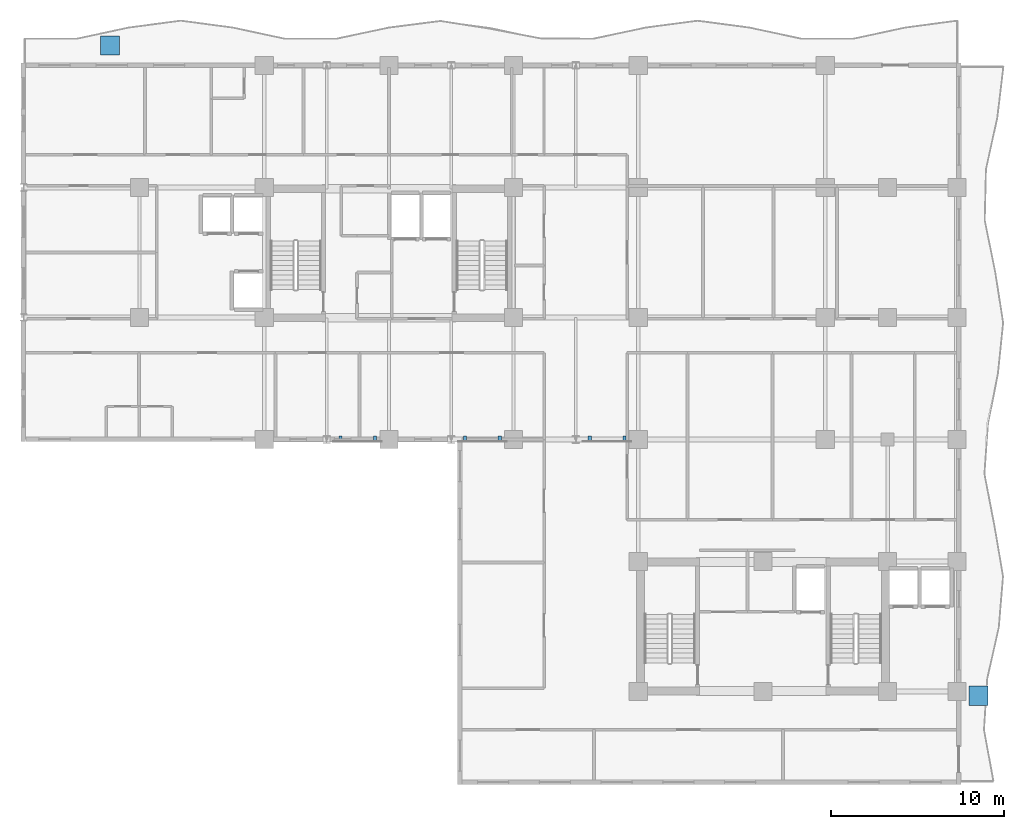
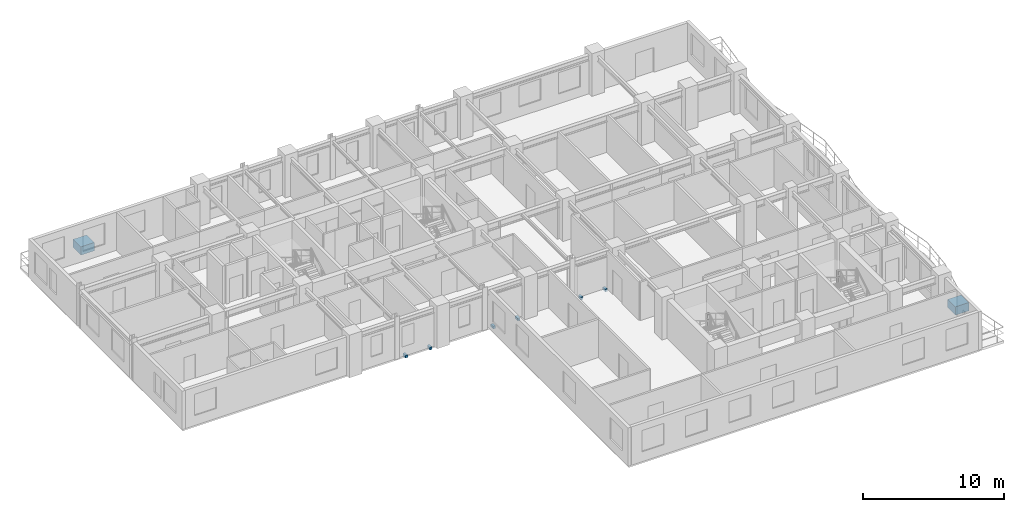
# One storey, part 10 of 13: 8 discrete accessories.
"""IFC4 building model written with IfcOpenShell, lengths in metres."""

from ifc_helpers import new_model, si_unit, direction, frame, origin, origin_2d, place, context, subcontext, project, spatial, rectangle, extrude, source, transform, mapped, material, type_object, element, save


model = new_model("IFC4")

# Units and contexts
model_context = context("Model", 3, precision=1e-05, world=origin(), true_north=direction((0.0, 1.0)))
body_context = subcontext(model_context, "Body", "Model", "MODEL_VIEW")
ifc_project = project(units=[si_unit("LENGTHUNIT", "METRE"), si_unit("AREAUNIT", "SQUARE_METRE"), si_unit("VOLUMEUNIT", "CUBIC_METRE"), si_unit("PLANEANGLEUNIT", "RADIAN"), si_unit("MASSUNIT", "GRAM", prefix="KILO")], contexts=[model_context])

# Site, building, storey
site_placement = place(None, origin())
site = spatial("IfcSite", under=ifc_project, at=site_placement, CompositionType="ELEMENT")
building_placement = place(site_placement, origin())
building = spatial("IfcBuilding", under=site, at=building_placement, Name="Kaliganga Portal Commons", CompositionType="ELEMENT")
storey_placement = place(building_placement, frame((0.0, 0.0, 188.300048828125)))
storey = spatial("IfcBuildingStorey", under=building, at=storey_placement, Name="L48", CompositionType="ELEMENT", Elevation=188.300048828125)

# Discrete accessories
ifc_material_1 = material(Name="Precast concrete C40/50", Category="concrete")
discrete_accessory_type_1 = type_object("IfcDiscreteAccessoryType", Name="DAC-PLANTER-RC", PredefinedType="USERDEFINED", material=ifc_material_1)
shared_shape_1 = source(origin(), body_context, "Body", "SweptSolid", [
    extrude(rectangle(XDim=1.10009765625, YDim=1.10009765625, at=origin_2d()), origin(), (0.0, 0.0, 1.0), 0.719970703125),
])
for number, where, z_axis, x_axis, name in (
    (1, (5.5, 44.35009765625, 0.0), (0.0, 0.0, 1.0), (1.0, 0.0, 0.0), "Structural Tree Planter L48 balc_north"),
    (2, (55.64990234375, 6.800048828125, 0.0), (0.0, 0.0, 1.0), (1.0, 0.0, 0.0), "Structural Tree Planter L48 balc_east"),
):
    element("IfcDiscreteAccessory", number, at=place(storey_placement, frame(where, z_axis=z_axis, x_axis=x_axis)), inside=storey, type_object=discrete_accessory_type_1, Name=name, ObjectType="PLANTER", PredefinedType="USERDEFINED", context=body_context, shape_type="MappedRepresentation", body=[
        mapped(shared_shape_1, transform((0.0, 0.0, 0.0), x_axis=(1.0, 0.0, 0.0), y_axis=(0.0, 1.0, 0.0), z_axis=(0.0, 0.0, 1.0), scale=1.0)),
    ])
ifc_material_2 = material(Name="Structural steel S355J2", Category="steel")
discrete_accessory_type_2 = type_object("IfcDiscreteAccessoryType", Name="DAC-BRK-SCR", PredefinedType="BRACKET", material=ifc_material_2)
shared_shape_2 = source(origin(), body_context, "Body", "SweptSolid", [
    extrude(rectangle(XDim=0.179931640625, YDim=0.360107421875, at=origin_2d()), origin(), (0.0, 0.0, 1.0), 0.219970703125),
])
for number, where, z_axis, x_axis, name in (
    (3, (18.800048828125, 21.6201171875, -0.18994140625), (0.0, 0.0, 1.0), (1.0, 0.0, 0.0), "Solar Screen Outrigger Bracket L48-S1-1"),
    (4, (20.800048828125, 21.6201171875, -0.18994140625), (0.0, 0.0, 1.0), (1.0, 0.0, 0.0), "Solar Screen Outrigger Bracket L48-S1-2"),
    (5, (26.0, 21.6201171875, -0.18994140625), (0.0, 0.0, 1.0), (1.0, 0.0, 0.0), "Solar Screen Outrigger Bracket L48-S2-1"),
    (6, (28.0, 21.6201171875, -0.18994140625), (0.0, 0.0, 1.0), (1.0, 0.0, 0.0), "Solar Screen Outrigger Bracket L48-S2-2"),
    (7, (33.199951171875, 21.6201171875, -0.18994140625), (0.0, 0.0, 1.0), (1.0, 0.0, 0.0), "Solar Screen Outrigger Bracket L48-S3-1"),
    (8, (35.199951171875, 21.6201171875, -0.18994140625), (0.0, 0.0, 1.0), (1.0, 0.0, 0.0), "Solar Screen Outrigger Bracket L48-S3-2"),
):
    element("IfcDiscreteAccessory", number, at=place(storey_placement, frame(where, z_axis=z_axis, x_axis=x_axis)), inside=storey, type_object=discrete_accessory_type_2, Name=name, PredefinedType="BRACKET", context=body_context, shape_type="MappedRepresentation", body=[
        mapped(shared_shape_2, transform((0.0, 0.0, 0.0), x_axis=(1.0, 0.0, 0.0), y_axis=(0.0, 1.0, 0.0), z_axis=(0.0, 0.0, 1.0), scale=1.0)),
    ])

save(model, "model.ifc")
